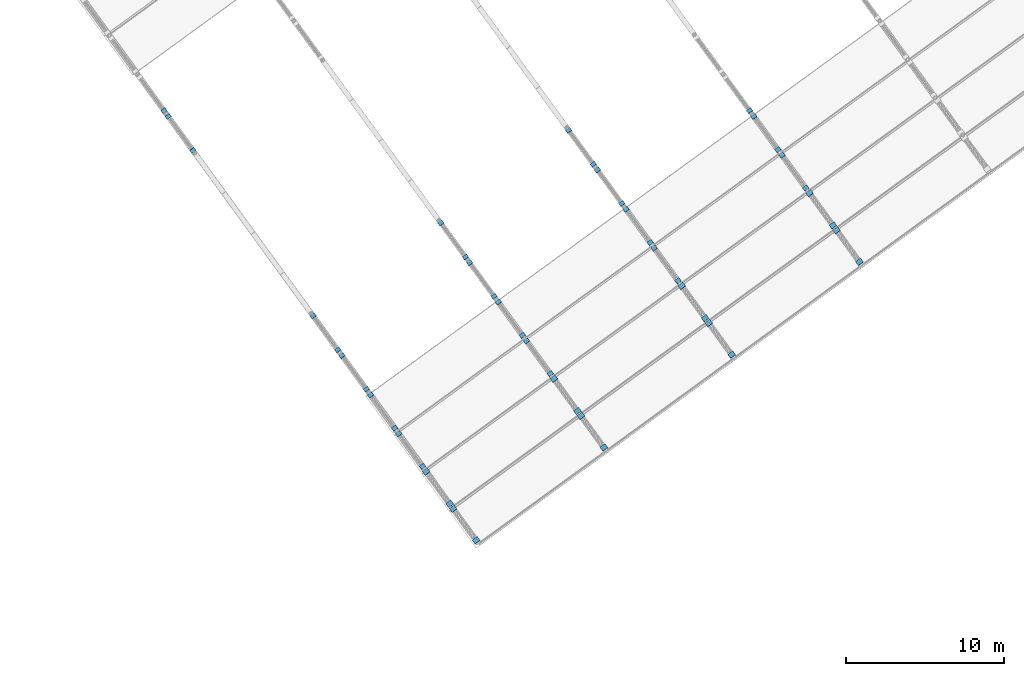
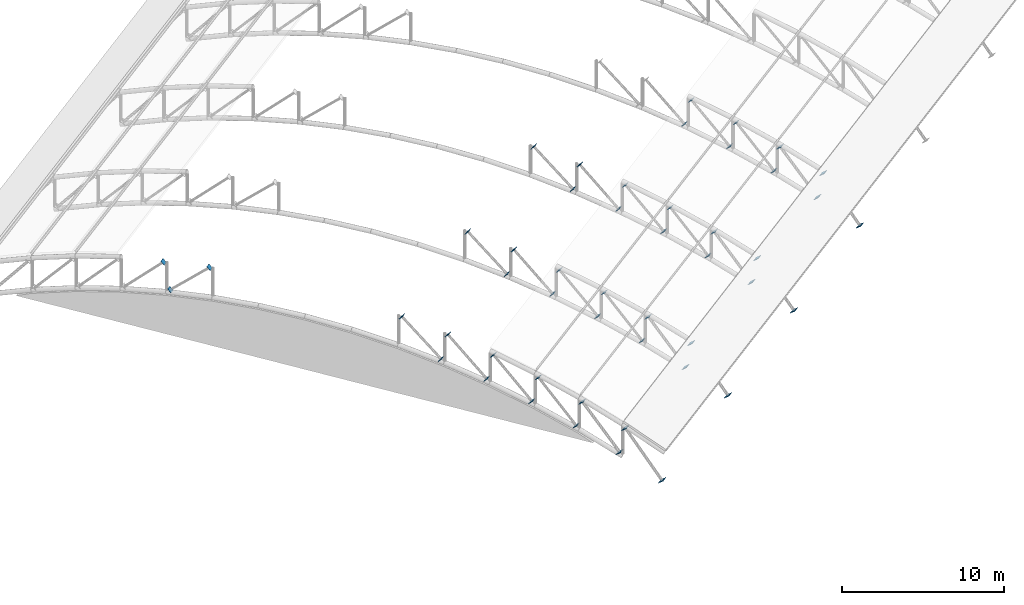
# One storey, part 64 of 69: 48 discrete accessories.
"""IFC4 building model written with IfcOpenShell, lengths in metres."""

import ifcopenshell
import ifcopenshell.guid

model = None  # the IFC model being written
_history = None  # IfcOwnerHistory: only IFC2X3 demands one
_inside = {}  # id of a spatial element -> (the spatial element, [elements in it])
_under = {}  # id of a project, library or spatial element -> (it, [spatial elements below it])
_declared = {}  # id of a project -> (the project, [libraries it declares])
_typed = {}  # id of a type object -> (the type object, [elements of that type])
_made_of = {}  # id of a material, layer set ... -> (it, [elements and type objects made of it])


def new_model(schema):
    """Start an empty IFC model of exactly this schema.

    Asked for "IFC4X3", IfcOpenShell would pick the latest addendum, in which some entities
    have other attributes; the version numbers below select the first issue.
    IFC2X3 requires an IfcOwnerHistory on every rooted entity: one is made here for all.
    """
    global model, _history
    if schema == "IFC4X3":
        model = ifcopenshell.file(schema_version=(4, 3, 0, 0))
    else:
        model = ifcopenshell.file(schema=schema)
    _inside.clear()
    _under.clear()
    _declared.clear()
    _typed.clear()
    _made_of.clear()
    _history = None
    if model.schema == "IFC2X3":
        org = make("IfcOrganization", Name="unknown")
        user = make(
            "IfcPersonAndOrganization",
            ThePerson=make("IfcPerson", FamilyName="unknown"),
            TheOrganization=org,
        )
        app = make(
            "IfcApplication",
            ApplicationDeveloper=org,
            Version="unknown",
            ApplicationFullName="unknown",
            ApplicationIdentifier="unknown",
        )
        _history = make(
            "IfcOwnerHistory",
            OwningUser=user,
            OwningApplication=app,
            ChangeAction="ADDED",
            CreationDate=0,
        )
    return model


def make(cls, **values):
    """One entity of the class cls with the attributes given. An attribute that is None is left unset."""
    return model.create_entity(
        cls, **{name: value for name, value in values.items() if value is not None}
    )


def rooted(cls, **values):
    """An entity with a GlobalId (a new one), such as an element, a storey or a relation."""
    return make(cls, GlobalId=ifcopenshell.guid.new(), OwnerHistory=_history, **values)


def si_unit(unit_type, name, prefix=None):
    """IfcSIUnit, for example si_unit("LENGTHUNIT", "METRE", prefix="MILLI")."""
    return make("IfcSIUnit", UnitType=unit_type, Prefix=prefix, Name=name)


def assignment(units):
    """IfcUnitAssignment: the units of a project."""
    return None if units is None else make("IfcUnitAssignment", Units=units)


def point(xyz):
    """IfcCartesianPoint."""
    return None if xyz is None else make("IfcCartesianPoint", Coordinates=xyz)


def direction(xyz):
    """IfcDirection."""
    return None if xyz is None else make("IfcDirection", DirectionRatios=xyz)


def frame(location, z_axis=None, x_axis=None):
    """IfcAxis2Placement3D, a coordinate frame: its origin and axes. An axis left out is left unset."""
    return make(
        "IfcAxis2Placement3D",
        Location=point(location),
        Axis=direction(z_axis),
        RefDirection=direction(x_axis),
    )


def frame_2d(location, x_axis=None):
    """IfcAxis2Placement2D, a coordinate frame in the plane: its origin and x axis."""
    return make(
        "IfcAxis2Placement2D", Location=point(location), RefDirection=direction(x_axis)
    )


def origin():
    """The frame at (0, 0, 0) with its axes left unset."""
    return frame((0.0, 0.0, 0.0))


def origin_2d():
    """The frame at (0, 0) in the plane with its x axis left unset."""
    return frame_2d((0.0, 0.0))


def place(relative_to, where):
    """IfcLocalPlacement: puts the frame where relative to a parent placement (None: the world)."""
    return make(
        "IfcLocalPlacement", PlacementRelTo=relative_to, RelativePlacement=where
    )


def context(
    kind, dimensions, precision=None, world=None, true_north=None, identifier=None
):
    """IfcGeometricRepresentationContext, for example the 3D "Model" context."""
    return make(
        "IfcGeometricRepresentationContext",
        ContextIdentifier=identifier,
        ContextType=kind,
        CoordinateSpaceDimension=dimensions,
        Precision=precision,
        WorldCoordinateSystem=world,
        TrueNorth=true_north,
    )


def subcontext(parent, identifier, kind, view, scale=None):
    """IfcGeometricRepresentationSubContext, for example "Body" below "Model"."""
    return make(
        "IfcGeometricRepresentationSubContext",
        ContextIdentifier=identifier,
        ContextType=kind,
        ParentContext=parent,
        TargetScale=scale,
        TargetView=view,
    )


def project(units=None, contexts=None):
    """IfcProject with its units and contexts."""
    return rooted(
        "IfcProject",
        Name="project",
        RepresentationContexts=contexts,
        UnitsInContext=assignment(units),
    )


def spatial(cls, under=None, at=None, **own):
    """A site, building, storey or space (cls), placed at a placement, below another one or the project."""
    s = rooted(cls, ObjectPlacement=at, **own)
    if under is not None:
        _under.setdefault(under.id(), (under, []))[1].append(s)
    return s


def profile(cls, at=None, kind="AREA", **sizes):
    """A parametric profile (cls). Its sizes go by their IFC names, for example OverallWidth=200.0."""
    return make(cls, ProfileType=kind, Position=at, **sizes)


def rectangle(**sizes):
    """IfcRectangleProfileDef."""
    return profile("IfcRectangleProfileDef", **sizes)


def extrude(swept, where, along, depth):
    """IfcExtrudedAreaSolid: the profile swept, set in the frame where, extruded along a direction by depth."""
    return make(
        "IfcExtrudedAreaSolid",
        SweptArea=swept,
        Position=where,
        ExtrudedDirection=direction(along),
        Depth=depth,
    )


def shape(context_of_items, identifier, shape_type, items):
    """IfcShapeRepresentation: the items that make up one representation, for example the "Body"."""
    return make(
        "IfcShapeRepresentation",
        ContextOfItems=context_of_items,
        RepresentationIdentifier=identifier,
        RepresentationType=shape_type,
        Items=items,
    )


def material(Name=None, Category=None):
    """IfcMaterial."""
    return make("IfcMaterial", Name=Name, Category=Category)


def layer(
    of_material, thickness, ventilated=None, Name=None, Category=None, Priority=None
):
    """IfcMaterialLayer: one layer of a wall or slab, of a material (None: an air gap)."""
    return make(
        "IfcMaterialLayer",
        Material=of_material,
        LayerThickness=thickness,
        IsVentilated=ventilated,
        Name=Name,
        Category=Category,
        Priority=Priority,
    )


def layer_set(layers, Name=None):
    """IfcMaterialLayerSet."""
    return make("IfcMaterialLayerSet", MaterialLayers=layers, LayerSetName=Name)


def made_of(thing, what):
    """Note that an element or type object is made of a material, layer set ...; save() writes the relation."""
    if what is not None:
        _made_of.setdefault(what.id(), (what, []))[1].append(thing)
    return thing


def type_object(cls, material=None, **own):
    """A type object (cls), such as IfcWallType, which elements share."""
    return made_of(rooted(cls, **own), material)


def element(
    cls,
    number,
    at=None,
    inside=None,
    cuts=None,
    type_object=None,
    material=None,
    context=None,
    identifier="Body",
    shape_type=None,
    held_by="IfcProductDefinitionShape",
    body=None,
    shapes=None,
    **own,
):
    """One element of the class cls, such as IfcWall. Its Tag is "e" and its number.

    at: its placement. inside: the storey or other place that contains it. cuts: it is an
    opening in that element (IfcRelVoidsElement). A single representation is given by context,
    identifier, shape_type and body (its items); several are given by shapes. held_by: the class
    of the entity that holds the representations. save() writes the other relations.
    """
    e = rooted(cls, Tag="e%d" % number, ObjectPlacement=at, **own)
    if body is not None:
        shapes = [shape(context, identifier, shape_type, body)]
    if shapes is not None:
        e.Representation = make(held_by, Representations=shapes)
    if inside is not None:
        _inside.setdefault(inside.id(), (inside, []))[1].append(e)
    if cuts is not None:
        rooted(
            "IfcRelVoidsElement", RelatingBuildingElement=cuts, RelatedOpeningElement=e
        )
    if type_object is not None:
        _typed.setdefault(type_object.id(), (type_object, []))[1].append(e)
    return made_of(e, material)


def aggregate(whole, parts):
    """IfcRelAggregates: a whole, such as a stair, and the parts it consists of."""
    return rooted("IfcRelAggregates", RelatingObject=whole, RelatedObjects=parts)


def save(model, path):
    """Write the relations noted so far, then the file.

    IfcRelAggregates (storeys below a building ...), IfcRelContainedInSpatialStructure (elements
    in a storey), IfcRelDefinesByType, IfcRelAssociatesMaterial and IfcRelDeclares: one each for
    every whole, place, type object, material and project.
    """
    for whole, parts in _under.values():
        aggregate(whole, parts)
    for where, things in _inside.values():
        rooted(
            "IfcRelContainedInSpatialStructure",
            RelatedElements=things,
            RelatingStructure=where,
        )
    for kind, things in _typed.values():
        rooted("IfcRelDefinesByType", RelatedObjects=things, RelatingType=kind)
    for what, things in _made_of.values():
        rooted("IfcRelAssociatesMaterial", RelatedObjects=things, RelatingMaterial=what)
    for by, libraries in _declared.values():
        rooted("IfcRelDeclares", RelatingContext=by, RelatedDefinitions=libraries)
    model.write(path)


model = new_model("IFC4")

# Units and contexts
model_context = context("Model", 3, precision=1e-05, world=origin(), true_north=direction((0.0, 1.0)))
body_context = subcontext(model_context, "Body", "Model", "MODEL_VIEW")
ifc_project = project(units=[si_unit("LENGTHUNIT", "METRE"), si_unit("AREAUNIT", "SQUARE_METRE"), si_unit("VOLUMEUNIT", "CUBIC_METRE"), si_unit("PLANEANGLEUNIT", "RADIAN"), si_unit("MASSUNIT", "GRAM", prefix="KILO")], contexts=[model_context])

# Site, building, storey
site_placement = place(None, origin())
site = spatial("IfcSite", under=ifc_project, at=site_placement, CompositionType="ELEMENT")
building_placement = place(site_placement, origin())
building = spatial("IfcBuilding", under=site, at=building_placement, Name="Okhra Congress Centre", CompositionType="ELEMENT")
storey_placement = place(building_placement, frame((0.0, 0.0, 16.800048828125)))
storey = spatial("IfcBuildingStorey", under=building, at=storey_placement, Name="L03", CompositionType="ELEMENT", Elevation=16.800048828125)

# Discrete accessories
ifc_material = material(Name="Steel S355J2", Category="steel")
ifc_layer = layer(ifc_material, 0.02001953125)
ifc_layer_set = layer_set([ifc_layer], Name="Brace end connection plate 20 mm S355")
discrete_accessory_type = type_object("IfcDiscreteAccessoryType", Name="Brace end connection plate 20 mm S355", PredefinedType="BRACKET", material=ifc_layer_set)
for number, where, z_axis, x_axis, name in (
    (1, (228.071533203125, 158.502197265625, -1.60595703125), (0.36582645651, -0.48776860868, -0.792623989105), (0.8, 0.6, 0.0), "Brace end connection plate"),
    (2, (226.625732421875, 160.4921875, 1.614990234375), (-0.353055224717, 0.499147041841, 0.79133067609), (-0.816415639507, -0.577464720627, 0.0), "Brace end connection plate"),
    (3, (226.39111328125, 160.815185546875, -0.28076171875), (0.364878191558, -0.510829468181, -0.778406808657), (0.813733471207, 0.581238193719, 0.0), "Brace end connection plate"),
):
    element("IfcDiscreteAccessory", number, at=place(storey_placement, frame(where, z_axis=z_axis, x_axis=x_axis)), inside=storey, type_object=discrete_accessory_type, Name=name, PredefinedType="BRACKET", context=body_context, shape_type="SweptSolid", body=[
        extrude(rectangle(XDim=0.386962890625, YDim=0.386962890625, at=origin_2d()), origin(), (0.0, 0.0, 1.0), 0.02001953125),
    ])
discrete_accessory_1_placement = place(storey_placement, frame((224.9169921875, 162.843994140625, 2.777099609375), z_axis=(-0.368354734342, 0.515696628079, 0.773544942118), x_axis=(-0.813733471207, -0.581238193719, 0.0)))
element("IfcDiscreteAccessory", 4, at=discrete_accessory_1_placement, inside=storey, type_object=discrete_accessory_type, Name="Brace end connection plate", PredefinedType="BRACKET", context=body_context, shape_type="SweptSolid", body=[
    extrude(rectangle(XDim=0.386962890625, YDim=0.386962890625, at=origin_2d()), origin(), (0.0, 0.0, 1.0), 0.019775390625),
])
for number, where, z_axis, x_axis, name in (
    (5, (224.667724609375, 163.187255859375, 0.876220703125), (0.391497724761, -0.538309371546, -0.746292537825), (0.808736084303, 0.588171697675, 0.0), "Brace end connection plate"),
    (6, (223.175537109375, 165.2412109375, 3.760986328125), (-0.391497724761, 0.538309371546, 0.746292537825), (-0.808736084303, -0.588171697675, 0.0), "Brace end connection plate"),
    (7, (222.9072265625, 165.6103515625, 1.861572265625), (0.402738614266, -0.549189019454, -0.732252025938), (0.806404995856, 0.591363663628, 0.0), "Brace end connection plate"),
    (8, (221.392333984375, 167.6953125, 4.5908203125), (-0.403581038704, 0.562567508496, 0.721553978288), (-0.81253825063, -0.582907875452, 0.0), "Brace end connection plate"),
    (9, (221.115234375, 168.0771484375, 2.67236328125), (0.415097407608, -0.586019869564, -0.695898595108), (0.816024481102, 0.57801734078, 0.0), "Brace end connection plate"),
    (10, (219.58447265625, 170.183837890625, 5.24169921875), (-0.414480070253, 0.572957744174, 0.707054237491), (-0.81022441079, -0.586119786529, 0.0), "Brace end connection plate"),
    (11, (219.307373046875, 170.5654296875, 3.290283203125), (0.429165270787, -0.600831379102, -0.67440256838), (0.813733471207, 0.581238193719, 0.0), "Brace end connection plate"),
    (12, (217.758056640625, 172.69775390625, 5.7119140625), (-0.439089696959, 0.597649865305, 0.670831481465), (-0.805881812891, -0.592076433961, 0.0), "Brace end connection plate"),
    (13, (208.5732421875, 185.33935546875, 3.290283203125), (-0.429165270787, 0.600831379102, -0.67440256838), (-0.813733471207, -0.581238193719, 0.0), "Brace end connection plate"),
):
    element("IfcDiscreteAccessory", number, at=place(storey_placement, frame(where, z_axis=z_axis, x_axis=x_axis)), inside=storey, type_object=discrete_accessory_type, Name=name, PredefinedType="BRACKET", context=body_context, shape_type="SweptSolid", body=[
        extrude(rectangle(XDim=0.3369140625, YDim=0.3369140625, at=origin_2d()), origin(), (0.0, 0.0, 1.0), 0.02001953125),
    ])
discrete_accessory_2_placement = place(storey_placement, frame((210.12255859375, 183.206787109375, 5.7119140625), z_axis=(0.44229248412, -0.589723312161, 0.675724628517), x_axis=(0.8, 0.6, 0.0)))
element("IfcDiscreteAccessory", 14, at=discrete_accessory_2_placement, inside=storey, type_object=discrete_accessory_type, Name="Brace end connection plate", PredefinedType="BRACKET", context=body_context, shape_type="SweptSolid", body=[
    extrude(rectangle(XDim=0.3369140625, YDim=0.3369140625, at=origin_2d()), origin(), (0.0, 0.0, 1.0), 0.019775390625),
])
discrete_accessory_3_placement = place(storey_placement, frame((208.296142578125, 185.720947265625, 5.24169921875), z_axis=(0.414480070253, -0.572957744174, 0.707054237491), x_axis=(0.81022441079, 0.586119786529, 0.0)))
element("IfcDiscreteAccessory", 15, at=discrete_accessory_3_placement, inside=storey, type_object=discrete_accessory_type, Name="Brace end connection plate", PredefinedType="BRACKET", context=body_context, shape_type="SweptSolid", body=[
    extrude(rectangle(XDim=0.3369140625, YDim=0.3369140625, at=origin_2d()), origin(), (0.0, 0.0, 1.0), 0.02001953125),
])
for number, where, z_axis, x_axis, name in (
    (16, (236.161865234375, 164.380126953125, -1.60595703125), (0.355193772836, -0.489922445291, -0.796123973598), (0.809610443394, 0.586967571461, 0.0), "Brace end connection plate"),
    (17, (234.7158203125, 166.3701171875, 1.614990234375), (-0.355193772836, 0.489922445291, 0.796123973598), (-0.809610443394, -0.586967571461, 0.0), "Brace end connection plate"),
):
    element("IfcDiscreteAccessory", number, at=place(storey_placement, frame(where, z_axis=z_axis, x_axis=x_axis)), inside=storey, type_object=discrete_accessory_type, Name=name, PredefinedType="BRACKET", context=body_context, shape_type="SweptSolid", body=[
        extrude(rectangle(XDim=0.386962890625, YDim=0.386962890625, at=origin_2d()), origin(), (0.0, 0.0, 1.0), 0.02001953125),
    ])
discrete_accessory_4_placement = place(storey_placement, frame((234.481201171875, 166.693115234375, -0.28076171875), z_axis=(0.375351079366, -0.508540172044, -0.7749183574), x_axis=(0.804574079586, 0.593852296837, 0.0)))
element("IfcDiscreteAccessory", 18, at=discrete_accessory_4_placement, inside=storey, type_object=discrete_accessory_type, Name="Brace end connection plate", PredefinedType="BRACKET", context=body_context, shape_type="SweptSolid", body=[
    extrude(rectangle(XDim=0.386962890625, YDim=0.386962890625, at=origin_2d()), origin(), (0.0, 0.0, 1.0), 0.020263671875),
])
discrete_accessory_5_placement = place(storey_placement, frame((233.00732421875, 168.721923828125, 2.777099609375), z_axis=(-0.378894969968, 0.513341572215, 0.770012358322), x_axis=(-0.804574079586, -0.593852296837, 0.0)))
element("IfcDiscreteAccessory", 19, at=discrete_accessory_5_placement, inside=storey, type_object=discrete_accessory_type, Name="Brace end connection plate", PredefinedType="BRACKET", context=body_context, shape_type="SweptSolid", body=[
    extrude(rectangle(XDim=0.386962890625, YDim=0.386962890625, at=origin_2d()), origin(), (0.0, 0.0, 1.0), 0.02001953125),
])
discrete_accessory_6_placement = place(storey_placement, frame((232.7578125, 169.065185546875, 0.876220703125), z_axis=(0.391497724761, -0.538309371546, -0.746292537825), x_axis=(0.808736084303, 0.588171697675, 0.0)))
element("IfcDiscreteAccessory", 20, at=discrete_accessory_6_placement, inside=storey, type_object=discrete_accessory_type, Name="Brace end connection plate", PredefinedType="BRACKET", context=body_context, shape_type="SweptSolid", body=[
    extrude(rectangle(XDim=0.3369140625, YDim=0.3369140625, at=origin_2d()), origin(), (0.0, 0.0, 1.0), 0.02001953125),
])
discrete_accessory_7_placement = place(storey_placement, frame((231.265625, 171.119140625, 3.760986328125), z_axis=(-0.394071935469, 0.529534163287, 0.751199626988), x_axis=(-0.802233221274, -0.59701076932, 0.0)))
element("IfcDiscreteAccessory", 21, at=discrete_accessory_7_placement, inside=storey, type_object=discrete_accessory_type, Name="Brace end connection plate", PredefinedType="BRACKET", context=body_context, shape_type="SweptSolid", body=[
    extrude(rectangle(XDim=0.3369140625, YDim=0.3369140625, at=origin_2d()), origin(), (0.0, 0.0, 1.0), 0.019775390625),
])
for number, where, z_axis, x_axis, name in (
    (22, (230.997314453125, 171.48828125, 1.861572265625), (0.400036736006, -0.557626965342, -0.727339520011), (0.81253825063, 0.582907875452, 0.0), "Brace end connection plate"),
    (23, (229.482666015625, 173.5732421875, 4.5908203125), (-0.413742888576, 0.559769790426, 0.717965600764), (-0.804176141466, -0.594391061084, 0.0), "Brace end connection plate"),
):
    element("IfcDiscreteAccessory", number, at=place(storey_placement, frame(where, z_axis=z_axis, x_axis=x_axis)), inside=storey, type_object=discrete_accessory_type, Name=name, PredefinedType="BRACKET", context=body_context, shape_type="SweptSolid", body=[
        extrude(rectangle(XDim=0.3369140625, YDim=0.3369140625, at=origin_2d()), origin(), (0.0, 0.0, 1.0), 0.02001953125),
    ])
discrete_accessory_8_placement = place(storey_placement, frame((229.205322265625, 173.954833984375, 2.67236328125), z_axis=(0.418067898873, -0.577917389618, -0.700878536345), x_axis=(0.81022441079, 0.586119786529, 0.0)))
element("IfcDiscreteAccessory", 24, at=discrete_accessory_8_placement, inside=storey, type_object=discrete_accessory_type, Name="Brace end connection plate", PredefinedType="BRACKET", context=body_context, shape_type="SweptSolid", body=[
    extrude(rectangle(XDim=0.3369140625, YDim=0.3369140625, at=origin_2d()), origin(), (0.0, 0.0, 1.0), 0.019775390625),
])
discrete_accessory_9_placement = place(storey_placement, frame((227.674560546875, 176.0615234375, 5.24169921875), z_axis=(-0.411584876058, 0.581061001493, 0.702115376804), x_axis=(-0.816024481102, -0.57801734078, 0.0)))
element("IfcDiscreteAccessory", 25, at=discrete_accessory_9_placement, inside=storey, type_object=discrete_accessory_type, Name="Brace end connection plate", PredefinedType="BRACKET", context=body_context, shape_type="SweptSolid", body=[
    extrude(rectangle(XDim=0.3369140625, YDim=0.3369140625, at=origin_2d()), origin(), (0.0, 0.0, 1.0), 0.020263671875),
])
for number, where, z_axis, x_axis, name in (
    (26, (227.3974609375, 176.443115234375, 3.290283203125), (0.429165270787, -0.600831379102, -0.67440256838), (0.813733471207, 0.581238193719, 0.0), "Brace end connection plate"),
    (27, (225.84814453125, 178.57568359375, 5.7119140625), (-0.439089696959, 0.597649865305, 0.670831481465), (-0.805881812891, -0.592076433961, 0.0), "Brace end connection plate"),
):
    element("IfcDiscreteAccessory", number, at=place(storey_placement, frame(where, z_axis=z_axis, x_axis=x_axis)), inside=storey, type_object=discrete_accessory_type, Name=name, PredefinedType="BRACKET", context=body_context, shape_type="SweptSolid", body=[
        extrude(rectangle(XDim=0.3369140625, YDim=0.3369140625, at=origin_2d()), origin(), (0.0, 0.0, 1.0), 0.02001953125),
    ])
for number, where, z_axis, x_axis, name in (
    (28, (244.251953125, 170.2578125, -1.60595703125), (0.355193772836, -0.489922445291, -0.796123973598), (0.809610443394, 0.586967571461, 0.0), "Brace end connection plate"),
    (29, (242.80615234375, 172.248046875, 1.614990234375), (-0.355193772836, 0.489922445291, 0.796123973598), (-0.809610443394, -0.586967571461, 0.0), "Brace end connection plate"),
    (30, (242.571533203125, 172.571044921875, -0.28076171875), (0.364878191558, -0.510829468181, -0.778406808657), (0.813733471207, 0.581238193719, 0.0), "Brace end connection plate"),
    (31, (241.097412109375, 174.599853515625, 2.777099609375), (-0.378894969968, 0.513341572215, 0.770012358322), (-0.804574079586, -0.593852296837, 0.0), "Brace end connection plate"),
):
    element("IfcDiscreteAccessory", number, at=place(storey_placement, frame(where, z_axis=z_axis, x_axis=x_axis)), inside=storey, type_object=discrete_accessory_type, Name=name, PredefinedType="BRACKET", context=body_context, shape_type="SweptSolid", body=[
        extrude(rectangle(XDim=0.386962890625, YDim=0.386962890625, at=origin_2d()), origin(), (0.0, 0.0, 1.0), 0.02001953125),
    ])
for number, where, z_axis, x_axis, name in (
    (32, (240.84814453125, 174.943115234375, 0.876220703125), (0.381064342654, -0.540865518606, -0.749836287159), (0.817482433131, 0.575953532433, 0.0), "Brace end connection plate"),
    (33, (239.355712890625, 176.996826171875, 3.760986328125), (-0.381064342654, 0.540865518606, 0.749836287159), (-0.817482433131, -0.575953532433, 0.0), "Brace end connection plate"),
):
    element("IfcDiscreteAccessory", number, at=place(storey_placement, frame(where, z_axis=z_axis, x_axis=x_axis)), inside=storey, type_object=discrete_accessory_type, Name=name, PredefinedType="BRACKET", context=body_context, shape_type="SweptSolid", body=[
        extrude(rectangle(XDim=0.3369140625, YDim=0.3369140625, at=origin_2d()), origin(), (0.0, 0.0, 1.0), 0.019775390625),
    ])
discrete_accessory_10_placement = place(storey_placement, frame((239.087646484375, 177.3662109375, 1.861572265625), z_axis=(0.400036736006, -0.557626965342, -0.727339520011), x_axis=(0.81253825063, 0.582907875452, 0.0)))
element("IfcDiscreteAccessory", 34, at=discrete_accessory_10_placement, inside=storey, type_object=discrete_accessory_type, Name="Brace end connection plate", PredefinedType="BRACKET", context=body_context, shape_type="SweptSolid", body=[
    extrude(rectangle(XDim=0.3369140625, YDim=0.3369140625, at=origin_2d()), origin(), (0.0, 0.0, 1.0), 0.02001953125),
])
discrete_accessory_11_placement = place(storey_placement, frame((237.57275390625, 179.451171875, 4.5908203125), z_axis=(-0.406355872074, 0.554121643737, 0.726515044011), x_axis=(-0.806404995856, -0.591363663628, 0.0)))
element("IfcDiscreteAccessory", 35, at=discrete_accessory_11_placement, inside=storey, type_object=discrete_accessory_type, Name="Brace end connection plate", PredefinedType="BRACKET", context=body_context, shape_type="SweptSolid", body=[
    extrude(rectangle(XDim=0.3369140625, YDim=0.3369140625, at=origin_2d()), origin(), (0.0, 0.0, 1.0), 0.019775390625),
])
for number, where, z_axis, x_axis, name in (
    (36, (237.29541015625, 179.832763671875, 2.67236328125), (0.428136558546, -0.574926235762, -0.697250966775), (0.80204311034, 0.597266145998, 0.0), "Brace end connection plate"),
    (37, (235.764892578125, 181.939453125, 5.24169921875), (-0.424499774842, 0.570042554788, 0.703456769738), (-0.80204311034, -0.597266145998, 0.0), "Brace end connection plate"),
    (38, (235.487548828125, 182.321044921875, 3.290283203125), (0.439089696959, -0.597649865305, -0.670831481465), (0.805881812891, 0.592076433961, 0.0), "Brace end connection plate"),
):
    element("IfcDiscreteAccessory", number, at=place(storey_placement, frame(where, z_axis=z_axis, x_axis=x_axis)), inside=storey, type_object=discrete_accessory_type, Name=name, PredefinedType="BRACKET", context=body_context, shape_type="SweptSolid", body=[
        extrude(rectangle(XDim=0.3369140625, YDim=0.3369140625, at=origin_2d()), origin(), (0.0, 0.0, 1.0), 0.02001953125),
    ])
discrete_accessory_12_placement = place(storey_placement, frame((233.938232421875, 184.45361328125, 5.7119140625), z_axis=(-0.432329455405, 0.592908967412, 0.679374858493), x_axis=(-0.808007530216, -0.589172157449, 0.0)))
element("IfcDiscreteAccessory", 39, at=discrete_accessory_12_placement, inside=storey, type_object=discrete_accessory_type, Name="Brace end connection plate", PredefinedType="BRACKET", context=body_context, shape_type="SweptSolid", body=[
    extrude(rectangle(XDim=0.3369140625, YDim=0.3369140625, at=origin_2d()), origin(), (0.0, 0.0, 1.0), 0.019775390625),
])
for number, where, z_axis, x_axis, name in (
    (40, (252.342041015625, 176.1357421875, -1.60595703125), (0.36582645651, -0.48776860868, -0.792623989105), (0.8, 0.6, 0.0), "Brace end connection plate"),
    (41, (250.896240234375, 178.1259765625, 1.614990234375), (-0.355193772836, 0.489922445291, 0.796123973598), (-0.809610443394, -0.586967571461, 0.0), "Brace end connection plate"),
    (42, (250.66162109375, 178.44873046875, -0.28076171875), (0.364878191558, -0.510829468181, -0.778406808657), (0.813733471207, 0.581238193719, 0.0), "Brace end connection plate"),
):
    element("IfcDiscreteAccessory", number, at=place(storey_placement, frame(where, z_axis=z_axis, x_axis=x_axis)), inside=storey, type_object=discrete_accessory_type, Name=name, PredefinedType="BRACKET", context=body_context, shape_type="SweptSolid", body=[
        extrude(rectangle(XDim=0.386962890625, YDim=0.386962890625, at=origin_2d()), origin(), (0.0, 0.0, 1.0), 0.02001953125),
    ])
discrete_accessory_13_placement = place(storey_placement, frame((249.1875, 180.4775390625, 2.777099609375), z_axis=(-0.368354734342, 0.515696628079, 0.773544942118), x_axis=(-0.813733471207, -0.581238193719, 0.0)))
element("IfcDiscreteAccessory", 43, at=discrete_accessory_13_placement, inside=storey, type_object=discrete_accessory_type, Name="Brace end connection plate", PredefinedType="BRACKET", context=body_context, shape_type="SweptSolid", body=[
    extrude(rectangle(XDim=0.386962890625, YDim=0.386962890625, at=origin_2d()), origin(), (0.0, 0.0, 1.0), 0.019775390625),
])
for number, where, z_axis, x_axis, name in (
    (44, (248.938232421875, 180.82080078125, 0.876220703125), (0.391497724761, -0.538309371546, -0.746292537825), (0.808736084303, 0.588171697675, 0.0), "Brace end connection plate"),
    (45, (247.446044921875, 182.874755859375, 3.760986328125), (-0.391497724761, 0.538309371546, 0.746292537825), (-0.808736084303, -0.588171697675, 0.0), "Brace end connection plate"),
    (46, (247.177734375, 183.243896484375, 1.861572265625), (0.402738614266, -0.549189019454, -0.732252025938), (0.806404995856, 0.591363663628, 0.0), "Brace end connection plate"),
    (47, (245.662841796875, 185.328857421875, 4.5908203125), (-0.403581038704, 0.562567508496, 0.721553978288), (-0.81253825063, -0.582907875452, 0.0), "Brace end connection plate"),
    (48, (245.3857421875, 185.710693359375, 2.67236328125), (0.415097407608, -0.586019869564, -0.695898595108), (0.816024481102, 0.57801734078, 0.0), "Brace end connection plate"),
):
    element("IfcDiscreteAccessory", number, at=place(storey_placement, frame(where, z_axis=z_axis, x_axis=x_axis)), inside=storey, type_object=discrete_accessory_type, Name=name, PredefinedType="BRACKET", context=body_context, shape_type="SweptSolid", body=[
        extrude(rectangle(XDim=0.3369140625, YDim=0.3369140625, at=origin_2d()), origin(), (0.0, 0.0, 1.0), 0.02001953125),
    ])

save(model, "model.ifc")
